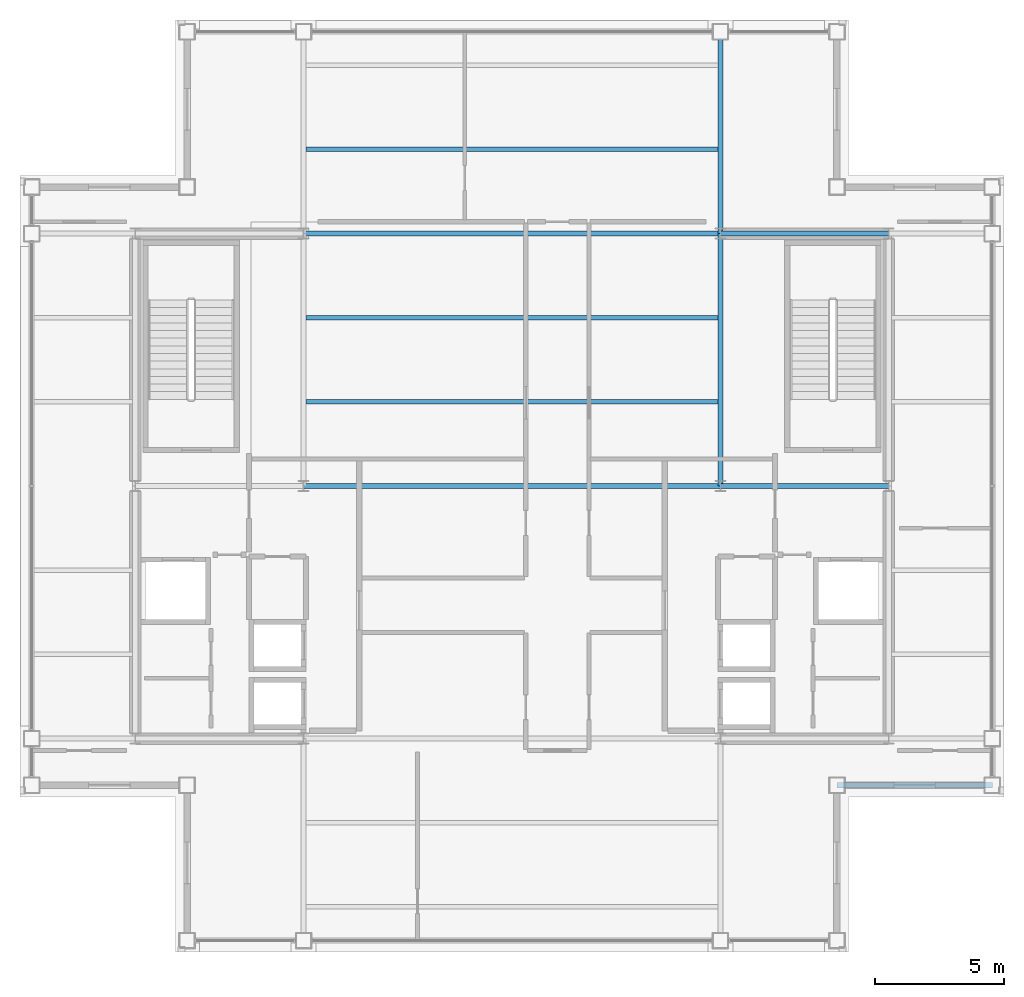
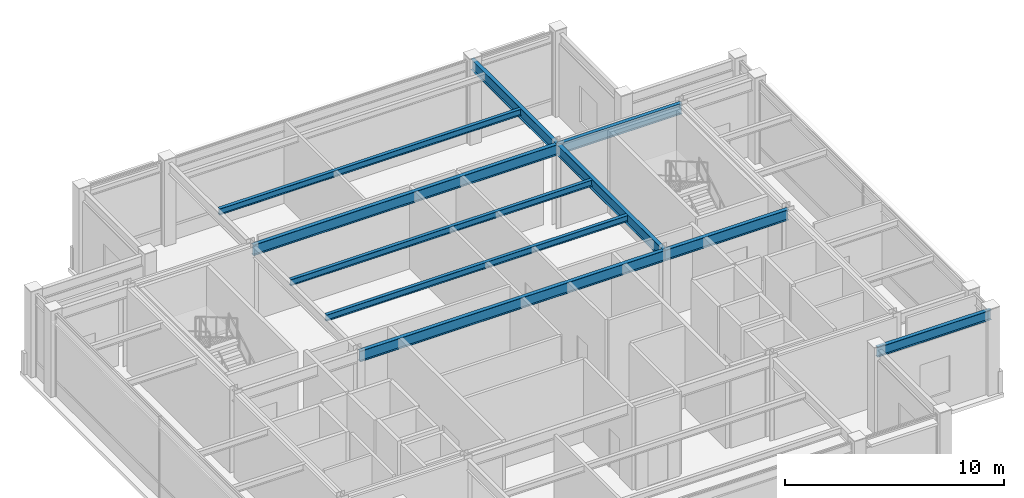
# One storey, part 9 of 21: 10 beams.
"""IFC4 building model written with IfcOpenShell, lengths in metres."""

from ifc_helpers import new_model, si_unit, direction, frame, origin, origin_2d, place, context, subcontext, project, spatial, i_section, extrude, material, material_profile, profile_set, type_object, element, save


model = new_model("IFC4")

# Units and contexts
model_context = context("Model", 3, precision=1e-05, world=origin(), true_north=direction((0.0, 1.0)))
body_context = subcontext(model_context, "Body", "Model", "MODEL_VIEW")
ifc_project = project(units=[si_unit("LENGTHUNIT", "METRE"), si_unit("AREAUNIT", "SQUARE_METRE"), si_unit("VOLUMEUNIT", "CUBIC_METRE"), si_unit("PLANEANGLEUNIT", "RADIAN"), si_unit("MASSUNIT", "GRAM", prefix="KILO")], contexts=[model_context])

# Site, building, storey
site_placement = place(None, origin())
site = spatial("IfcSite", under=ifc_project, at=site_placement, CompositionType="ELEMENT")
building_placement = place(site_placement, origin())
building = spatial("IfcBuilding", under=site, at=building_placement, Name="Brelmoor Portico Tower", CompositionType="ELEMENT")
storey_placement = place(building_placement, frame((0.0, 0.0, 284.39990234375)))
storey = spatial("IfcBuildingStorey", under=building, at=storey_placement, Name="L75", CompositionType="ELEMENT", Elevation=284.39990234375)

# Beams
ifc_material = material(Name="Steel Q355B", Category="steel")
ifc_material_profile_1 = material_profile(ifc_material, i_section(OverallWidth=0.175048828125, OverallDepth=0.35009765625, WebThickness=0.007080078125, FlangeThickness=0.010986328125, at=origin_2d()), Name="HN 350x175x7x11")
ifc_profile_set_1 = profile_set([ifc_material_profile_1], Name="Steel Q355B")
beam_type_1 = type_object("IfcBeamType", Name="BM-JS-350", PredefinedType="JOIST", material=ifc_profile_set_1)
for number, where, z_axis, x_axis, name in (
    (1, (-7.949951171875, 3.25, 4.425048828125), (1.0, 0.0, 0.0), (0.0, 1.0, 0.0), "L75 Secondary Composite Joist JS-C03"),
    (2, (-7.949951171875, 6.5, 4.425048828125), (1.0, 0.0, 0.0), (0.0, 1.0, 0.0), "L75 Secondary Composite Joist JS-C04"),
    (3, (-7.949951171875, 13.0, 4.425048828125), (1.0, 0.0, 0.0), (0.0, 1.0, 0.0), "L75 Secondary Composite Joist JS-C05"),
):
    element("IfcBeam", number, at=place(storey_placement, frame(where, z_axis=z_axis, x_axis=x_axis)), inside=storey, type_object=beam_type_1, Name=name, PredefinedType="JOIST", context=body_context, shape_type="SweptSolid", body=[
        extrude(i_section(OverallWidth=0.175048828125, OverallDepth=0.35009765625, WebThickness=0.007080078125, FlangeThickness=0.010986328125, at=origin_2d()), origin(), (0.0, 0.0, 1.0), 15.89990234375),
    ])
ifc_material_profile_2 = material_profile(ifc_material, i_section(OverallWidth=0.199951171875, OverallDepth=0.60009765625, WebThickness=0.010986328125, FlangeThickness=0.01708984375, at=origin_2d()), Name="HN 600x200x11x17")
ifc_profile_set_2 = profile_set([ifc_material_profile_2], Name="Steel Q355B")
beam_type_2 = type_object("IfcBeamType", Name="BM-PG-600", PredefinedType="BEAM", material=ifc_profile_set_2)
beam_1_placement = place(storey_placement, frame((8.050048828125, 0.0, 4.300048828125), z_axis=(0.0, 1.0, 0.0), x_axis=(-1.0, 0.0, 0.0)))
element("IfcBeam", 4, at=beam_1_placement, inside=storey, type_object=beam_type_2, Name="L75 Primary Floor Girder PG-07", PredefinedType="BEAM", context=body_context, shape_type="SweptSolid", body=[
    extrude(i_section(OverallWidth=0.199951171875, OverallDepth=0.60009765625, WebThickness=0.010986328125, FlangeThickness=0.01708984375, at=origin_2d()), origin(), (0.0, 0.0, 1.0), 9.75),
])
beam_2_placement = place(storey_placement, frame((8.050048828125, 9.75, 4.300048828125), z_axis=(0.0, 1.0, 0.0), x_axis=(-1.0, 0.0, 0.0)))
element("IfcBeam", 5, at=beam_2_placement, inside=storey, type_object=beam_type_2, Name="L75 Primary Floor Girder PG-08", PredefinedType="BEAM", context=body_context, shape_type="SweptSolid", body=[
    extrude(i_section(OverallWidth=0.199951171875, OverallDepth=0.60009765625, WebThickness=0.010986328125, FlangeThickness=0.01708984375, at=origin_2d()), origin(), (0.0, 0.0, 1.0), 7.800048828125),
])
beam_3_placement = place(storey_placement, frame((-8.050048828125, 0.0, 4.300048828125), z_axis=(1.0, 0.0, 0.0), x_axis=(0.0, 1.0, 0.0)))
element("IfcBeam", 6, at=beam_3_placement, inside=storey, type_object=beam_type_2, Name="L75 Primary Floor Girder PG-17", PredefinedType="BEAM", context=body_context, shape_type="SweptSolid", body=[
    extrude(i_section(OverallWidth=0.199951171875, OverallDepth=0.60009765625, WebThickness=0.010986328125, FlangeThickness=0.01708984375, at=origin_2d()), origin(), (0.0, 0.0, 1.0), 16.10009765625),
])
beam_4_placement = place(storey_placement, frame((8.050048828125, 0.0, 4.300048828125), z_axis=(1.0, 0.0, 0.0), x_axis=(0.0, 1.0, 0.0)))
element("IfcBeam", 7, at=beam_4_placement, inside=storey, type_object=beam_type_2, Name="L75 Primary Floor Girder PG-18", PredefinedType="BEAM", context=body_context, shape_type="SweptSolid", body=[
    extrude(i_section(OverallWidth=0.199951171875, OverallDepth=0.60009765625, WebThickness=0.010986328125, FlangeThickness=0.01708984375, at=origin_2d()), origin(), (0.0, 0.0, 1.0), 6.5),
])
beam_5_placement = place(storey_placement, frame((-8.050048828125, 9.75, 4.300048828125), z_axis=(1.0, 0.0, 0.0), x_axis=(0.0, 1.0, 0.0)))
element("IfcBeam", 8, at=beam_5_placement, inside=storey, type_object=beam_type_2, Name="L75 Primary Floor Girder PG-21", PredefinedType="BEAM", context=body_context, shape_type="SweptSolid", body=[
    extrude(i_section(OverallWidth=0.199951171875, OverallDepth=0.60009765625, WebThickness=0.010986328125, FlangeThickness=0.01708984375, at=origin_2d()), origin(), (0.0, 0.0, 1.0), 16.10009765625),
])
beam_6_placement = place(storey_placement, frame((8.050048828125, 9.75, 4.300048828125), z_axis=(1.0, 0.0, 0.0), x_axis=(0.0, 1.0, 0.0)))
element("IfcBeam", 9, at=beam_6_placement, inside=storey, type_object=beam_type_2, Name="L75 Primary Floor Girder PG-22", PredefinedType="BEAM", context=body_context, shape_type="SweptSolid", body=[
    extrude(i_section(OverallWidth=0.199951171875, OverallDepth=0.60009765625, WebThickness=0.010986328125, FlangeThickness=0.01708984375, at=origin_2d()), origin(), (0.0, 0.0, 1.0), 6.5),
])
ifc_material_profile_3 = material_profile(ifc_material, i_section(OverallWidth=0.199951171875, OverallDepth=0.550048828125, WebThickness=0.010009765625, FlangeThickness=0.01611328125, at=origin_2d()), Name="HN 550x200x10x16")
ifc_profile_set_3 = profile_set([ifc_material_profile_3], Name="Steel Q355B")
beam_type_3 = type_object("IfcBeamType", Name="BM-SP-550", PredefinedType="SPANDREL", material=ifc_profile_set_3)
beam_7_placement = place(storey_placement, frame((12.550048828125, -11.550048828125, 4.3251953125), z_axis=(1.0, 0.0, 0.0), x_axis=(0.0, 1.0, 0.0)))
element("IfcBeam", 10, at=beam_7_placement, inside=storey, type_object=beam_type_3, Name="L75 Perimeter Spandrel Beam SP-05", PredefinedType="SPANDREL", context=body_context, shape_type="SweptSolid", body=[
    extrude(i_section(OverallWidth=0.199951171875, OverallDepth=0.550048828125, WebThickness=0.010009765625, FlangeThickness=0.01611328125, at=origin_2d()), origin(), (0.0, 0.0, 1.0), 6.0),
])

save(model, "model.ifc")
